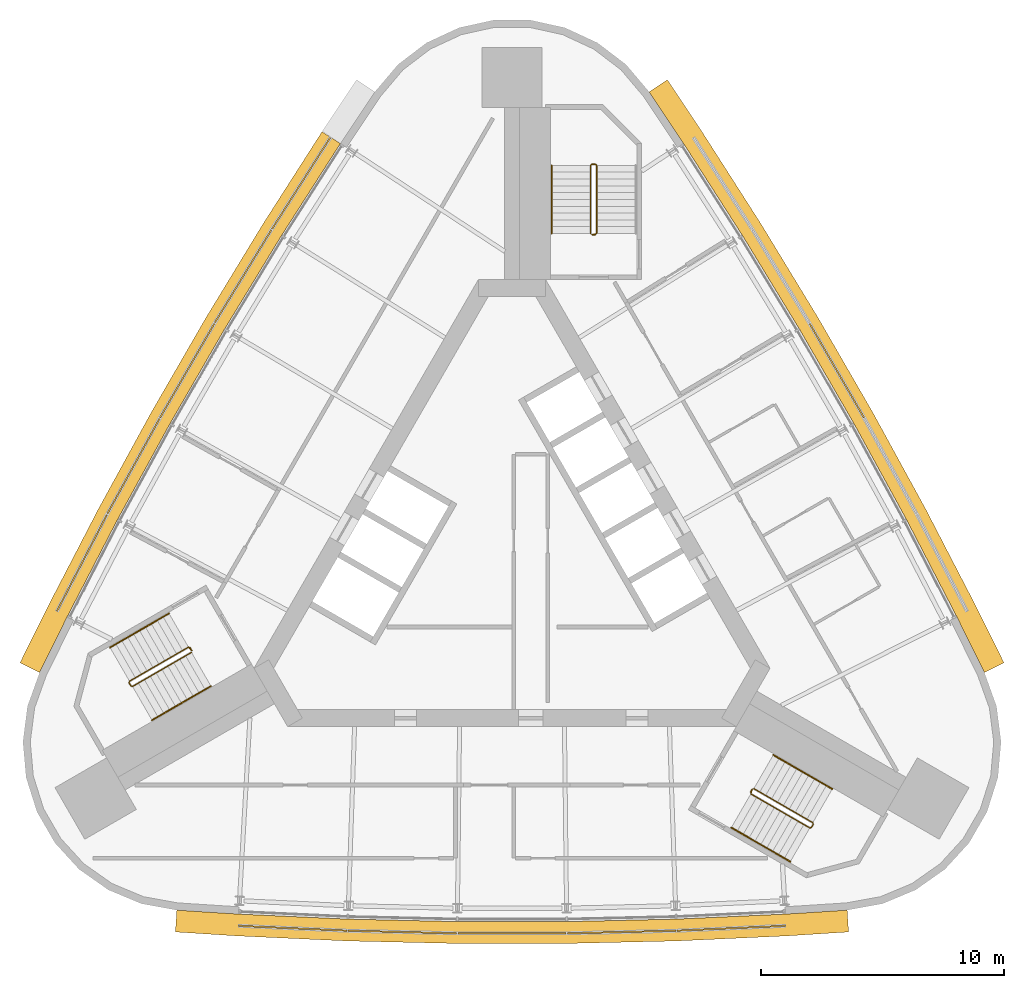
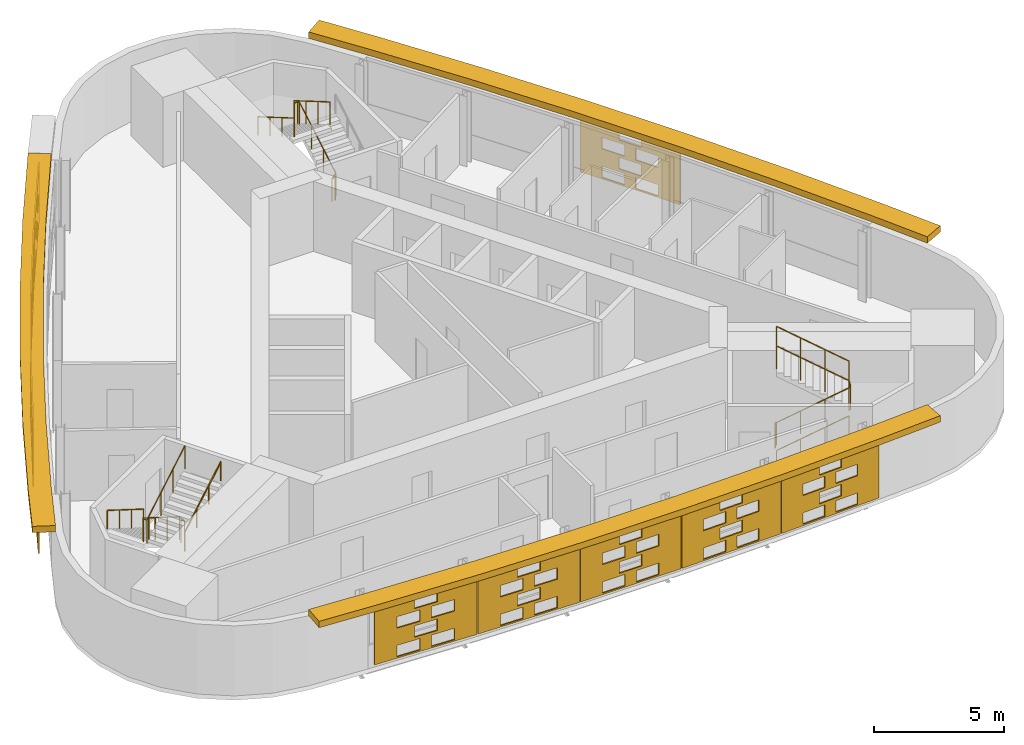
# One storey, part 9 of 10: 14 shading devices, 8 railings.
"""IFC4 building model written with IfcOpenShell, lengths in metres."""

import ifcopenshell
import ifcopenshell.guid

model = None  # the IFC model being written
_history = None  # IfcOwnerHistory: only IFC2X3 demands one
_inside = {}  # id of a spatial element -> (the spatial element, [elements in it])
_under = {}  # id of a project, library or spatial element -> (it, [spatial elements below it])
_declared = {}  # id of a project -> (the project, [libraries it declares])
_typed = {}  # id of a type object -> (the type object, [elements of that type])
_made_of = {}  # id of a material, layer set ... -> (it, [elements and type objects made of it])


def new_model(schema):
    """Start an empty IFC model of exactly this schema.

    Asked for "IFC4X3", IfcOpenShell would pick the latest addendum, in which some entities
    have other attributes; the version numbers below select the first issue.
    IFC2X3 requires an IfcOwnerHistory on every rooted entity: one is made here for all.
    """
    global model, _history
    if schema == "IFC4X3":
        model = ifcopenshell.file(schema_version=(4, 3, 0, 0))
    else:
        model = ifcopenshell.file(schema=schema)
    _inside.clear()
    _under.clear()
    _declared.clear()
    _typed.clear()
    _made_of.clear()
    _history = None
    if model.schema == "IFC2X3":
        org = make("IfcOrganization", Name="unknown")
        user = make(
            "IfcPersonAndOrganization",
            ThePerson=make("IfcPerson", FamilyName="unknown"),
            TheOrganization=org,
        )
        app = make(
            "IfcApplication",
            ApplicationDeveloper=org,
            Version="unknown",
            ApplicationFullName="unknown",
            ApplicationIdentifier="unknown",
        )
        _history = make(
            "IfcOwnerHistory",
            OwningUser=user,
            OwningApplication=app,
            ChangeAction="ADDED",
            CreationDate=0,
        )
    return model


def make(cls, **values):
    """One entity of the class cls with the attributes given. An attribute that is None is left unset."""
    return model.create_entity(
        cls, **{name: value for name, value in values.items() if value is not None}
    )


def rooted(cls, **values):
    """An entity with a GlobalId (a new one), such as an element, a storey or a relation."""
    return make(cls, GlobalId=ifcopenshell.guid.new(), OwnerHistory=_history, **values)


def si_unit(unit_type, name, prefix=None):
    """IfcSIUnit, for example si_unit("LENGTHUNIT", "METRE", prefix="MILLI")."""
    return make("IfcSIUnit", UnitType=unit_type, Prefix=prefix, Name=name)


def assignment(units):
    """IfcUnitAssignment: the units of a project."""
    return None if units is None else make("IfcUnitAssignment", Units=units)


def point(xyz):
    """IfcCartesianPoint."""
    return None if xyz is None else make("IfcCartesianPoint", Coordinates=xyz)


def direction(xyz):
    """IfcDirection."""
    return None if xyz is None else make("IfcDirection", DirectionRatios=xyz)


def frame(location, z_axis=None, x_axis=None):
    """IfcAxis2Placement3D, a coordinate frame: its origin and axes. An axis left out is left unset."""
    return make(
        "IfcAxis2Placement3D",
        Location=point(location),
        Axis=direction(z_axis),
        RefDirection=direction(x_axis),
    )


def frame_2d(location, x_axis=None):
    """IfcAxis2Placement2D, a coordinate frame in the plane: its origin and x axis."""
    return make(
        "IfcAxis2Placement2D", Location=point(location), RefDirection=direction(x_axis)
    )


def origin():
    """The frame at (0, 0, 0) with its axes left unset."""
    return frame((0.0, 0.0, 0.0))


def origin_2d():
    """The frame at (0, 0) in the plane with its x axis left unset."""
    return frame_2d((0.0, 0.0))


def place(relative_to, where):
    """IfcLocalPlacement: puts the frame where relative to a parent placement (None: the world)."""
    return make(
        "IfcLocalPlacement", PlacementRelTo=relative_to, RelativePlacement=where
    )


def context(
    kind, dimensions, precision=None, world=None, true_north=None, identifier=None
):
    """IfcGeometricRepresentationContext, for example the 3D "Model" context."""
    return make(
        "IfcGeometricRepresentationContext",
        ContextIdentifier=identifier,
        ContextType=kind,
        CoordinateSpaceDimension=dimensions,
        Precision=precision,
        WorldCoordinateSystem=world,
        TrueNorth=true_north,
    )


def subcontext(parent, identifier, kind, view, scale=None):
    """IfcGeometricRepresentationSubContext, for example "Body" below "Model"."""
    return make(
        "IfcGeometricRepresentationSubContext",
        ContextIdentifier=identifier,
        ContextType=kind,
        ParentContext=parent,
        TargetScale=scale,
        TargetView=view,
    )


def project(units=None, contexts=None):
    """IfcProject with its units and contexts."""
    return rooted(
        "IfcProject",
        Name="project",
        RepresentationContexts=contexts,
        UnitsInContext=assignment(units),
    )


def spatial(cls, under=None, at=None, **own):
    """A site, building, storey or space (cls), placed at a placement, below another one or the project."""
    s = rooted(cls, ObjectPlacement=at, **own)
    if under is not None:
        _under.setdefault(under.id(), (under, []))[1].append(s)
    return s


def polyline(points):
    """IfcPolyline through the points."""
    return make("IfcPolyline", Points=[point(p) for p in points])


def profile(cls, at=None, kind="AREA", **sizes):
    """A parametric profile (cls). Its sizes go by their IFC names, for example OverallWidth=200.0."""
    return make(cls, ProfileType=kind, Position=at, **sizes)


def circle(**sizes):
    """IfcCircleProfileDef."""
    return profile("IfcCircleProfileDef", **sizes)


def outline(outer, holes=None, kind="AREA"):
    """IfcArbitraryClosedProfileDef: a profile drawn as a closed curve; with holes, ...WithVoids."""
    if holes is None:
        return make("IfcArbitraryClosedProfileDef", ProfileType=kind, OuterCurve=outer)
    return make(
        "IfcArbitraryProfileDefWithVoids",
        ProfileType=kind,
        OuterCurve=outer,
        InnerCurves=holes,
    )


def extrude(swept, where, along, depth):
    """IfcExtrudedAreaSolid: the profile swept, set in the frame where, extruded along a direction by depth."""
    return make(
        "IfcExtrudedAreaSolid",
        SweptArea=swept,
        Position=where,
        ExtrudedDirection=direction(along),
        Depth=depth,
    )


def shape(context_of_items, identifier, shape_type, items):
    """IfcShapeRepresentation: the items that make up one representation, for example the "Body"."""
    return make(
        "IfcShapeRepresentation",
        ContextOfItems=context_of_items,
        RepresentationIdentifier=identifier,
        RepresentationType=shape_type,
        Items=items,
    )


def material(Name=None, Category=None):
    """IfcMaterial."""
    return make("IfcMaterial", Name=Name, Category=Category)


def material_profile(
    of_material, cross_section, Name=None, Category=None, Priority=None
):
    """IfcMaterialProfile: a cross section and its material."""
    return make(
        "IfcMaterialProfile",
        Name=Name,
        Material=of_material,
        Profile=cross_section,
        Priority=Priority,
        Category=Category,
    )


def profile_set(profiles, Name=None, composite=None):
    """IfcMaterialProfileSet."""
    return make(
        "IfcMaterialProfileSet",
        Name=Name,
        MaterialProfiles=profiles,
        CompositeProfile=composite,
    )


def made_of(thing, what):
    """Note that an element or type object is made of a material, layer set ...; save() writes the relation."""
    if what is not None:
        _made_of.setdefault(what.id(), (what, []))[1].append(thing)
    return thing


def type_object(cls, material=None, **own):
    """A type object (cls), such as IfcWallType, which elements share."""
    return made_of(rooted(cls, **own), material)


def element(
    cls,
    number,
    at=None,
    inside=None,
    cuts=None,
    type_object=None,
    material=None,
    context=None,
    identifier="Body",
    shape_type=None,
    held_by="IfcProductDefinitionShape",
    body=None,
    shapes=None,
    **own,
):
    """One element of the class cls, such as IfcWall. Its Tag is "e" and its number.

    at: its placement. inside: the storey or other place that contains it. cuts: it is an
    opening in that element (IfcRelVoidsElement). A single representation is given by context,
    identifier, shape_type and body (its items); several are given by shapes. held_by: the class
    of the entity that holds the representations. save() writes the other relations.
    """
    e = rooted(cls, Tag="e%d" % number, ObjectPlacement=at, **own)
    if body is not None:
        shapes = [shape(context, identifier, shape_type, body)]
    if shapes is not None:
        e.Representation = make(held_by, Representations=shapes)
    if inside is not None:
        _inside.setdefault(inside.id(), (inside, []))[1].append(e)
    if cuts is not None:
        rooted(
            "IfcRelVoidsElement", RelatingBuildingElement=cuts, RelatedOpeningElement=e
        )
    if type_object is not None:
        _typed.setdefault(type_object.id(), (type_object, []))[1].append(e)
    return made_of(e, material)


def aggregate(whole, parts):
    """IfcRelAggregates: a whole, such as a stair, and the parts it consists of."""
    return rooted("IfcRelAggregates", RelatingObject=whole, RelatedObjects=parts)


def save(model, path):
    """Write the relations noted so far, then the file.

    IfcRelAggregates (storeys below a building ...), IfcRelContainedInSpatialStructure (elements
    in a storey), IfcRelDefinesByType, IfcRelAssociatesMaterial and IfcRelDeclares: one each for
    every whole, place, type object, material and project.
    """
    for whole, parts in _under.values():
        aggregate(whole, parts)
    for where, things in _inside.values():
        rooted(
            "IfcRelContainedInSpatialStructure",
            RelatedElements=things,
            RelatingStructure=where,
        )
    for kind, things in _typed.values():
        rooted("IfcRelDefinesByType", RelatedObjects=things, RelatingType=kind)
    for what, things in _made_of.values():
        rooted("IfcRelAssociatesMaterial", RelatedObjects=things, RelatingMaterial=what)
    for by, libraries in _declared.values():
        rooted("IfcRelDeclares", RelatingContext=by, RelatedDefinitions=libraries)
    model.write(path)


model = new_model("IFC4")

# Units and contexts
model_context = context("Model", 3, precision=1e-05, world=origin(), true_north=direction((0.0, 1.0)))
body_context = subcontext(model_context, "Body", "Model", "MODEL_VIEW")
ifc_project = project(units=[si_unit("LENGTHUNIT", "METRE"), si_unit("AREAUNIT", "SQUARE_METRE"), si_unit("VOLUMEUNIT", "CUBIC_METRE"), si_unit("PLANEANGLEUNIT", "RADIAN"), si_unit("MASSUNIT", "GRAM", prefix="KILO")], contexts=[model_context])

# Site, building, storey
site_placement = place(None, origin())
site = spatial("IfcSite", under=ifc_project, at=site_placement, CompositionType="ELEMENT")
building_placement = place(site_placement, origin())
building = spatial("IfcBuilding", under=site, at=building_placement, Name="Noor Cloister Tower", CompositionType="ELEMENT")
storey_placement = place(building_placement, frame((0.0, 0.0, 247.199951171875)))
storey = spatial("IfcBuildingStorey", under=building, at=storey_placement, Name="L64", CompositionType="ELEMENT", Elevation=247.199951171875)

# Shading devices
ifc_material_1 = material(Name="Limestone", Category="masonry")
ifc_material_profile = material_profile(ifc_material_1, outline(polyline([(-2.22998046875, -1.35009765625), (2.22998046875, -1.35009765625), (2.22998046875, 1.35009765625), (-2.22998046875, 1.35009765625), (-2.22998046875, -1.35009765625)]), holes=[polyline([(-1.25, -1.282470703125), (-0.25, -1.282470703125), (-0.25, -0.742431640625), (-1.25, -0.742431640625), (-1.25, -1.282470703125)]), polyline([(0.25, -1.282470703125), (1.25, -1.282470703125), (1.25, -0.742431640625), (0.25, -0.742431640625), (0.25, -1.282470703125)]), polyline([(-0.5, -0.607421875), (0.5, -0.607421875), (0.5, -0.0673828125), (-0.5, -0.0673828125), (-0.5, -0.607421875)]), polyline([(-1.25, 0.0673828125), (-0.25, 0.0673828125), (-0.25, 0.607421875), (-1.25, 0.607421875), (-1.25, 0.0673828125)]), polyline([(0.25, 0.0673828125), (1.25, 0.0673828125), (1.25, 0.607421875), (0.25, 0.607421875), (0.25, 0.0673828125)]), polyline([(-0.5, 0.742431640625), (0.5, 0.742431640625), (0.5, 1.282470703125), (-0.5, 1.282470703125), (-0.5, 0.742431640625)])]), Name="Woven screen 35 percent open")
ifc_profile_set = profile_set([ifc_material_profile], Name="Limestone")
shading_device_type_1 = type_object("IfcShadingDeviceType", Name="SCREEN woven limestone 35 percent open", PredefinedType="USERDEFINED", material=ifc_profile_set)
for number, where, z_axis, x_axis, name in (
    (1, (-8.649169921875, 15.405517578125, 1.85009765625), (-0.8431579539, 0.537665941617, 0.0), (-0.537665941617, -0.8431579539, 0.0), "SCREEN L64 1"),
    (2, (-11.037109375, 11.57958984375, 1.85009765625), (-0.853884327381, 0.520462828118, 0.0), (-0.520462828118, -0.853884327381, 0.0), "SCREEN L64 2"),
    (3, (-13.336669921875, 7.699951171875, 1.85009765625), (-0.865982457891, 0.500074377092, 0.0), (-0.500074377092, -0.865982457891, 0.0), "SCREEN L64 3"),
):
    element("IfcShadingDevice", number, at=place(storey_placement, frame(where, z_axis=z_axis, x_axis=x_axis)), inside=storey, type_object=shading_device_type_1, Name=name, ObjectType="SCREEN", PredefinedType="USERDEFINED", context=body_context, shape_type="SweptSolid", body=[
        extrude(outline(polyline([(-2.22998046875, -1.35009765625), (2.22998046875, -1.35009765625), (2.22998046875, 1.35009765625), (-2.22998046875, 1.35009765625), (-2.22998046875, -1.35009765625)]), holes=[polyline([(-1.25, -1.282470703125), (-0.25, -1.282470703125), (-0.25, -0.742431640625), (-1.25, -0.742431640625), (-1.25, -1.282470703125)]), polyline([(0.25, -1.282470703125), (1.25, -1.282470703125), (1.25, -0.742431640625), (0.25, -0.742431640625), (0.25, -1.282470703125)]), polyline([(-0.5, -0.607421875), (0.5, -0.607421875), (0.5, -0.0673828125), (-0.5, -0.0673828125), (-0.5, -0.607421875)]), polyline([(-1.25, 0.0673828125), (-0.25, 0.0673828125), (-0.25, 0.607421875), (-1.25, 0.607421875), (-1.25, 0.0673828125)]), polyline([(0.25, 0.0673828125), (1.25, 0.0673828125), (1.25, 0.607421875), (0.25, 0.607421875), (0.25, 0.0673828125)]), polyline([(-0.5, 0.742431640625), (0.5, 0.742431640625), (0.5, 1.282470703125), (-0.5, 1.282470703125), (-0.5, 0.742431640625)])]), origin(), (0.0, 0.0, 1.0), 0.06005859375),
    ])
shading_device_1_placement = place(storey_placement, frame((-15.546875, 3.768798828125, 1.85009765625), z_axis=(-0.876645997325, 0.481135942718, 0.0), x_axis=(-0.481135942718, -0.876645997325, 0.0)))
element("IfcShadingDevice", 4, at=shading_device_1_placement, inside=storey, type_object=shading_device_type_1, Name="SCREEN L64 4", ObjectType="SCREEN", PredefinedType="USERDEFINED", context=body_context, shape_type="SweptSolid", body=[
    extrude(outline(polyline([(-2.22998046875, -1.35009765625), (2.22998046875, -1.35009765625), (2.22998046875, 1.35009765625), (-2.22998046875, 1.35009765625), (-2.22998046875, -1.35009765625)]), holes=[polyline([(-1.25, -1.282470703125), (-0.25, -1.282470703125), (-0.25, -0.742431640625), (-1.25, -0.742431640625), (-1.25, -1.282470703125)]), polyline([(0.25, -1.282470703125), (1.25, -1.282470703125), (1.25, -0.742431640625), (0.25, -0.742431640625), (0.25, -1.282470703125)]), polyline([(-0.5, -0.607421875), (0.5, -0.607421875), (0.5, -0.0673828125), (-0.5, -0.0673828125), (-0.5, -0.607421875)]), polyline([(-1.25, 0.0673828125), (-0.25, 0.0673828125), (-0.25, 0.607421875), (-1.25, 0.607421875), (-1.25, 0.0673828125)]), polyline([(0.25, 0.0673828125), (1.25, 0.0673828125), (1.25, 0.607421875), (0.25, 0.607421875), (0.25, 0.0673828125)]), polyline([(-0.5, 0.742431640625), (0.5, 0.742431640625), (0.5, 1.282470703125), (-0.5, 1.282470703125), (-0.5, 0.742431640625)])]), origin(), (0.0, 0.0, 1.0), 0.059814453125),
])
for number, where, z_axis, x_axis, name in (
    (5, (-17.666259765625, -0.212158203125, 1.85009765625), (-0.887816162103, 0.460198285861, 0.0), (-0.460198285861, -0.887816162103, 0.0), "SCREEN L64 5"),
    (6, (-9.016845703125, -15.193115234375, 1.85009765625), (-0.044670810456, -0.999001761106, 0.0), (0.999001761106, -0.044670810456, 0.0), "SCREEN L64 1"),
):
    element("IfcShadingDevice", number, at=place(storey_placement, frame(where, z_axis=z_axis, x_axis=x_axis)), inside=storey, type_object=shading_device_type_1, Name=name, ObjectType="SCREEN", PredefinedType="USERDEFINED", context=body_context, shape_type="SweptSolid", body=[
        extrude(outline(polyline([(-2.22998046875, -1.35009765625), (2.22998046875, -1.35009765625), (2.22998046875, 1.35009765625), (-2.22998046875, 1.35009765625), (-2.22998046875, -1.35009765625)]), holes=[polyline([(-1.25, -1.282470703125), (-0.25, -1.282470703125), (-0.25, -0.742431640625), (-1.25, -0.742431640625), (-1.25, -1.282470703125)]), polyline([(0.25, -1.282470703125), (1.25, -1.282470703125), (1.25, -0.742431640625), (0.25, -0.742431640625), (0.25, -1.282470703125)]), polyline([(-0.5, -0.607421875), (0.5, -0.607421875), (0.5, -0.0673828125), (-0.5, -0.0673828125), (-0.5, -0.607421875)]), polyline([(-1.25, 0.0673828125), (-0.25, 0.0673828125), (-0.25, 0.607421875), (-1.25, 0.607421875), (-1.25, 0.0673828125)]), polyline([(0.25, 0.0673828125), (1.25, 0.0673828125), (1.25, 0.607421875), (0.25, 0.607421875), (0.25, 0.0673828125)]), polyline([(-0.5, 0.742431640625), (0.5, 0.742431640625), (0.5, 1.282470703125), (-0.5, 1.282470703125), (-0.5, 0.742431640625)])]), origin(), (0.0, 0.0, 1.0), 0.06005859375),
    ])
shading_device_2_placement = place(storey_placement, frame((-4.509521484375, -15.348388671875, 1.85009765625), z_axis=(-0.024482455341, -0.999700259768, 0.0), x_axis=(0.999700259768, -0.024482455341, 0.0)))
element("IfcShadingDevice", 7, at=shading_device_2_placement, inside=storey, type_object=shading_device_type_1, Name="SCREEN L64 2", ObjectType="SCREEN", PredefinedType="USERDEFINED", context=body_context, shape_type="SweptSolid", body=[
    extrude(outline(polyline([(-2.22998046875, -1.35009765625), (2.22998046875, -1.35009765625), (2.22998046875, 1.35009765625), (-2.22998046875, 1.35009765625), (-2.22998046875, -1.35009765625)]), holes=[polyline([(-1.25, -1.282470703125), (-0.25, -1.282470703125), (-0.25, -0.742431640625), (-1.25, -0.742431640625), (-1.25, -1.282470703125)]), polyline([(0.25, -1.282470703125), (1.25, -1.282470703125), (1.25, -0.742431640625), (0.25, -0.742431640625), (0.25, -1.282470703125)]), polyline([(-0.5, -0.607421875), (0.5, -0.607421875), (0.5, -0.0673828125), (-0.5, -0.0673828125), (-0.5, -0.607421875)]), polyline([(-1.25, 0.0673828125), (-0.25, 0.0673828125), (-0.25, 0.607421875), (-1.25, 0.607421875), (-1.25, 0.0673828125)]), polyline([(0.25, 0.0673828125), (1.25, 0.0673828125), (1.25, 0.607421875), (0.25, 0.607421875), (0.25, 0.0673828125)]), polyline([(-0.5, 0.742431640625), (0.5, 0.742431640625), (0.5, 1.282470703125), (-0.5, 1.282470703125), (-0.5, 0.742431640625)])]), origin(), (0.0, 0.0, 1.0), 0.059814453125),
])
shading_device_3_placement = place(storey_placement, frame((0.0, -15.39990234375, 1.85009765625), z_axis=(0.0, -1.0, 0.0), x_axis=(1.0, 0.0, 0.0)))
element("IfcShadingDevice", 8, at=shading_device_3_placement, inside=storey, type_object=shading_device_type_1, Name="SCREEN L64 3", ObjectType="SCREEN", PredefinedType="USERDEFINED", context=body_context, shape_type="SweptSolid", body=[
    extrude(outline(polyline([(-2.22998046875, -1.35009765625), (2.22998046875, -1.35009765625), (2.22998046875, 1.35009765625), (-2.22998046875, 1.35009765625), (-2.22998046875, -1.35009765625)]), holes=[polyline([(-1.25, -1.282470703125), (-0.25, -1.282470703125), (-0.25, -0.742431640625), (-1.25, -0.742431640625), (-1.25, -1.282470703125)]), polyline([(0.25, -1.282470703125), (1.25, -1.282470703125), (1.25, -0.742431640625), (0.25, -0.742431640625), (0.25, -1.282470703125)]), polyline([(-0.5, -0.607421875), (0.5, -0.607421875), (0.5, -0.0673828125), (-0.5, -0.0673828125), (-0.5, -0.607421875)]), polyline([(-1.25, 0.0673828125), (-0.25, 0.0673828125), (-0.25, 0.607421875), (-1.25, 0.607421875), (-1.25, 0.0673828125)]), polyline([(0.25, 0.0673828125), (1.25, 0.0673828125), (1.25, 0.607421875), (0.25, 0.607421875), (0.25, 0.0673828125)]), polyline([(-0.5, 0.742431640625), (0.5, 0.742431640625), (0.5, 1.282470703125), (-0.5, 1.282470703125), (-0.5, 0.742431640625)])]), origin(), (0.0, 0.0, 1.0), 0.06005859375),
])
shading_device_4_placement = place(storey_placement, frame((4.509521484375, -15.348388671875, 1.85009765625), z_axis=(0.024482455341, -0.999700259768, 0.0), x_axis=(0.999700259768, 0.024482455341, 0.0)))
element("IfcShadingDevice", 9, at=shading_device_4_placement, inside=storey, type_object=shading_device_type_1, Name="SCREEN L64 4", ObjectType="SCREEN", PredefinedType="USERDEFINED", context=body_context, shape_type="SweptSolid", body=[
    extrude(outline(polyline([(-2.22998046875, -1.35009765625), (2.22998046875, -1.35009765625), (2.22998046875, 1.35009765625), (-2.22998046875, 1.35009765625), (-2.22998046875, -1.35009765625)]), holes=[polyline([(-1.25, -1.282470703125), (-0.25, -1.282470703125), (-0.25, -0.742431640625), (-1.25, -0.742431640625), (-1.25, -1.282470703125)]), polyline([(0.25, -1.282470703125), (1.25, -1.282470703125), (1.25, -0.742431640625), (0.25, -0.742431640625), (0.25, -1.282470703125)]), polyline([(-0.5, -0.607421875), (0.5, -0.607421875), (0.5, -0.0673828125), (-0.5, -0.0673828125), (-0.5, -0.607421875)]), polyline([(-1.25, 0.0673828125), (-0.25, 0.0673828125), (-0.25, 0.607421875), (-1.25, 0.607421875), (-1.25, 0.0673828125)]), polyline([(0.25, 0.0673828125), (1.25, 0.0673828125), (1.25, 0.607421875), (0.25, 0.607421875), (0.25, 0.0673828125)]), polyline([(-0.5, 0.742431640625), (0.5, 0.742431640625), (0.5, 1.282470703125), (-0.5, 1.282470703125), (-0.5, 0.742431640625)])]), origin(), (0.0, 0.0, 1.0), 0.059814453125),
])
for number, where, z_axis, x_axis, name in (
    (10, (9.016845703125, -15.193115234375, 1.85009765625), (0.044670810456, -0.999001761106, 0.0), (0.999001761106, 0.044670810456, 0.0), "SCREEN L64 5"),
    (11, (13.336669921875, 7.699951171875, 1.85009765625), (0.865982457891, 0.500074377092, 0.0), (-0.500074377092, 0.865982457891, 0.0), "SCREEN L64 3"),
):
    element("IfcShadingDevice", number, at=place(storey_placement, frame(where, z_axis=z_axis, x_axis=x_axis)), inside=storey, type_object=shading_device_type_1, Name=name, ObjectType="SCREEN", PredefinedType="USERDEFINED", context=body_context, shape_type="SweptSolid", body=[
        extrude(outline(polyline([(-2.22998046875, -1.35009765625), (2.22998046875, -1.35009765625), (2.22998046875, 1.35009765625), (-2.22998046875, 1.35009765625), (-2.22998046875, -1.35009765625)]), holes=[polyline([(-1.25, -1.282470703125), (-0.25, -1.282470703125), (-0.25, -0.742431640625), (-1.25, -0.742431640625), (-1.25, -1.282470703125)]), polyline([(0.25, -1.282470703125), (1.25, -1.282470703125), (1.25, -0.742431640625), (0.25, -0.742431640625), (0.25, -1.282470703125)]), polyline([(-0.5, -0.607421875), (0.5, -0.607421875), (0.5, -0.0673828125), (-0.5, -0.0673828125), (-0.5, -0.607421875)]), polyline([(-1.25, 0.0673828125), (-0.25, 0.0673828125), (-0.25, 0.607421875), (-1.25, 0.607421875), (-1.25, 0.0673828125)]), polyline([(0.25, 0.0673828125), (1.25, 0.0673828125), (1.25, 0.607421875), (0.25, 0.607421875), (0.25, 0.0673828125)]), polyline([(-0.5, 0.742431640625), (0.5, 0.742431640625), (0.5, 1.282470703125), (-0.5, 1.282470703125), (-0.5, 0.742431640625)])]), origin(), (0.0, 0.0, 1.0), 0.06005859375),
    ])
ifc_material_2 = material(Name="Limestone", Category="masonry")
shading_device_type_2 = type_object("IfcShadingDeviceType", Name="SUNSHADE limestone band 900", PredefinedType="USERDEFINED", material=ifc_material_2)
shading_device_5_placement = place(storey_placement, frame((0.0, 0.0, 3.300048828125)))
element("IfcShadingDevice", 12, at=shading_device_5_placement, inside=storey, type_object=shading_device_type_2, Name="SUNSHADE L64 1", ObjectType="SUNSHADE", PredefinedType="USERDEFINED", context=body_context, shape_type="SweptSolid", body=[
    extrude(outline(polyline([(-7.815185546875, 17.54296875), (-10.246826171875, 13.744384765625), (-12.596435546875, 9.88232421875), (-14.856689453125, 5.967529296875), (-17.026611328125, 2.001953125), (-19.10400390625, -2.010498046875), (-20.2392578125, -4.30322265625), (-19.4326171875, -4.702392578125), (-18.301025390625, -2.417236328125), (-16.232177734375, 1.578857421875), (-14.072021484375, 5.5263671875), (-11.822021484375, 9.423583984375), (-9.4833984375, 13.267822265625), (-7.05712890625, 17.0576171875), (-7.815185546875, 17.54296875)])), origin(), (0.0, 0.0, 1.0), 0.300048828125),
])
shading_device_6_placement = place(storey_placement, frame((0.0, 0.0, 3.300048828125)))
element("IfcShadingDevice", 13, at=shading_device_6_placement, inside=storey, type_object=shading_device_type_2, Name="SUNSHADE L64 2", ObjectType="SUNSHADE", PredefinedType="USERDEFINED", context=body_context, shape_type="SweptSolid", body=[
    extrude(outline(polyline([(-13.84619140625, -15.376220703125), (-11.293212890625, -15.539306640625), (-6.779541015625, -15.746337890625), (-2.26025390625, -15.85009765625), (2.26025390625, -15.85009765625), (6.779541015625, -15.746337890625), (11.293212890625, -15.539306640625), (13.84619140625, -15.376220703125), (13.788818359375, -14.47802734375), (11.243896484375, -14.640625), (6.748779296875, -14.846923828125), (2.25, -14.949951171875), (-2.25, -14.949951171875), (-6.748779296875, -14.846923828125), (-11.243896484375, -14.640625), (-13.788818359375, -14.47802734375), (-13.84619140625, -15.376220703125)])), origin(), (0.0, 0.0, 1.0), 0.300048828125),
])
shading_device_7_placement = place(storey_placement, frame((0.0, 0.0, 3.300048828125)))
element("IfcShadingDevice", 14, at=shading_device_7_placement, inside=storey, type_object=shading_device_type_2, Name="SUNSHADE L64 3", ObjectType="SUNSHADE", PredefinedType="USERDEFINED", context=body_context, shape_type="SweptSolid", body=[
    extrude(outline(polyline([(20.2392578125, -4.30322265625), (19.10400390625, -2.010498046875), (17.026611328125, 2.001953125), (14.856689453125, 5.967529296875), (12.596435546875, 9.88232421875), (10.246826171875, 13.744384765625), (7.810791015625, 17.5498046875), (6.39306640625, 19.67919921875), (5.643798828125, 19.180419921875), (7.05712890625, 17.0576171875), (9.4833984375, 13.267822265625), (11.822021484375, 9.423583984375), (14.072021484375, 5.5263671875), (16.232177734375, 1.578857421875), (18.301025390625, -2.417236328125), (19.4326171875, -4.702392578125), (20.2392578125, -4.30322265625)])), origin(), (0.0, 0.0, 1.0), 0.300048828125),
])

# Railings
ifc_material_3 = material(Name="Stainless steel", Category="steel")
railing_type_1 = type_object("IfcRailingType", Name="Stair guard 1100", PredefinedType="GUARDRAIL", material=ifc_material_3)
railing_1_placement = place(storey_placement, frame((3.435546875, 13.306396484375, 0.0)))
element("IfcRailing", 15, at=railing_1_placement, inside=storey, type_object=railing_type_1, Name="Stair guard ST1 L64", PredefinedType="GUARDRAIL", context=body_context, shape_type="SweptSolid", body=[
    extrude(circle(Radius=0.02392578125, at=origin_2d()), frame((0.0, 0.0, 1.076171875), z_axis=(-1.0, 0.0, 0.0), x_axis=(0.0, -1.0, 0.0)), (0.0, 0.0, 1.0), 0.14990234375),
    extrude(circle(Radius=0.02392578125, at=origin_2d()), frame((-0.14990234375, 0.0, 1.076171875), z_axis=(0.759870394187, 0.190199549216, 0.621627795), x_axis=(-0.242814311512, 0.970072785993, 0.0)), (0.0, 0.0, 1.0), 0.26318359375),
    extrude(circle(Radius=0.02392578125, at=origin_2d()), frame((0.050048828125, 0.050048828125, 1.23974609375), z_axis=(0.0, 0.863360870873, 0.504586966384), x_axis=(-1.0, 0.0, 0.0)), (0.0, 0.0, 1.0), 3.2431640625),
    extrude(circle(Radius=0.02392578125, at=origin_2d()), frame((0.050048828125, 2.85009765625, 2.8759765625), z_axis=(-0.708833529934, 0.705375805398, 0.0), x_axis=(-0.705375805398, -0.708833529934, 0.0)), (0.0, 0.0, 1.0), 0.070556640625),
    extrude(circle(Radius=0.02392578125, at=origin_2d()), frame((0.0, 2.89990234375, 2.8759765625), z_axis=(-1.0, 0.0, 0.0), x_axis=(0.0, -1.0, 0.0)), (0.0, 0.0, 1.0), 0.14990234375),
    extrude(circle(Radius=0.02392578125, at=origin_2d()), frame((-0.14990234375, 2.89990234375, 2.8759765625), z_axis=(-0.280916556609, -0.279546231943, 0.91811752648), x_axis=(0.705375805398, -0.708833529934, 0.0)), (0.0, 0.0, 1.0), 0.17822265625),
    extrude(circle(Radius=0.02392578125, at=origin_2d()), frame((-0.199951171875, 2.85009765625, 3.03955078125), z_axis=(0.0, -0.863360870873, 0.504586966384), x_axis=(1.0, 0.0, 0.0)), (0.0, 0.0, 1.0), 3.2431640625),
    extrude(circle(Radius=0.02099609375, at=origin_2d()), origin(), (0.0, 0.0, 1.0), 1.052001953125),
    extrude(circle(Radius=0.02099609375, at=origin_2d()), frame((-0.14990234375, 0.0, 0.0)), (0.0, 0.0, 1.0), 1.052001953125),
    extrude(circle(Radius=0.02099609375, at=origin_2d()), frame((0.050048828125, 0.050048828125, 0.16357421875)), (0.0, 0.0, 1.0), 1.052001953125),
    extrude(circle(Radius=0.02099609375, at=origin_2d()), frame((0.050048828125, 0.9833984375, 0.708984375)), (0.0, 0.0, 1.0), 1.052001953125),
    extrude(circle(Radius=0.02099609375, at=origin_2d()), frame((0.050048828125, 1.916748046875, 1.254638671875)), (0.0, 0.0, 1.0), 1.052001953125),
    extrude(circle(Radius=0.02099609375, at=origin_2d()), frame((0.050048828125, 2.85009765625, 1.800048828125)), (0.0, 0.0, 1.0), 1.052001953125),
    extrude(circle(Radius=0.02099609375, at=origin_2d()), frame((0.0, 2.89990234375, 1.800048828125)), (0.0, 0.0, 1.0), 1.052001953125),
    extrude(circle(Radius=0.02099609375, at=origin_2d()), frame((-0.14990234375, 2.89990234375, 1.800048828125)), (0.0, 0.0, 1.0), 1.052001953125),
    extrude(circle(Radius=0.02099609375, at=origin_2d()), frame((-0.199951171875, 2.85009765625, 1.963623046875)), (0.0, 0.0, 1.0), 1.052001953125),
    extrude(circle(Radius=0.02099609375, at=origin_2d()), frame((-0.199951171875, 1.916748046875, 2.509033203125)), (0.0, 0.0, 1.0), 1.052001953125),
    extrude(circle(Radius=0.02099609375, at=origin_2d()), frame((-0.199951171875, 0.9833984375, 3.0546875)), (0.0, 0.0, 1.0), 1.052001953125),
    extrude(circle(Radius=0.02099609375, at=origin_2d()), frame((-0.199951171875, 0.050048828125, 3.60009765625)), (0.0, 0.0, 1.0), 1.052001953125),
])
railing_2_placement = place(storey_placement, frame((-13.241455078125, -3.677734375, 0.0)))
element("IfcRailing", 16, at=railing_2_placement, inside=storey, type_object=railing_type_1, Name="Stair guard ST2 L64", PredefinedType="GUARDRAIL", context=body_context, shape_type="SweptSolid", body=[
    extrude(circle(Radius=0.02392578125, at=origin_2d()), frame((0.0, 0.0, 1.076171875), z_axis=(0.499112439033, -0.866537231285, 0.0), x_axis=(0.866537231285, 0.499112439033, 0.0)), (0.0, 0.0, 1.0), 0.150146484375),
    extrude(circle(Radius=0.02392578125, at=origin_2d()), frame((0.074951171875, -0.130126953125, 1.076171875), z_axis=(-0.544565797804, 0.563119998752, 0.621565731736), x_axis=(-0.718850276695, -0.695164929852, 0.0)), (0.0, 0.0, 1.0), 0.26318359375),
    extrude(circle(Radius=0.02392578125, at=origin_2d()), frame((-0.068359375, 0.01806640625, 1.23974609375), z_axis=(-0.747689811644, -0.431660630283, 0.504607813879), x_axis=(0.49998411664, -0.866034573852, 0.0)), (0.0, 0.0, 1.0), 3.2431640625),
    extrude(circle(Radius=0.02392578125, at=origin_2d()), frame((-2.4931640625, -1.3818359375, 2.8759765625), z_axis=(-0.258736085224, -0.965948051503, 0.0), x_axis=(0.965948051503, -0.258736085224, 0.0)), (0.0, 0.0, 1.0), 0.07080078125),
    extrude(circle(Radius=0.02392578125, at=origin_2d()), frame((-2.511474609375, -1.4501953125, 2.8759765625), z_axis=(0.499816412211, -0.866131372301, 0.0), x_axis=(0.866131372301, 0.499816412211, 0.0)), (0.0, 0.0, 1.0), 0.14990234375),
    extrude(circle(Radius=0.02392578125, at=origin_2d()), frame((-2.4365234375, -1.580078125, 2.8759765625), z_axis=(0.383552647116, -0.102737316192, 0.917786691313), x_axis=(0.258736085224, 0.965948051503, 0.0)), (0.0, 0.0, 1.0), 0.17822265625),
    extrude(circle(Radius=0.02392578125, at=origin_2d()), frame((-2.3681640625, -1.598388671875, 3.03955078125), z_axis=(0.747665513933, 0.431721881032, 0.504591415616), x_axis=(-0.500049511043, 0.865996816683, 0.0)), (0.0, 0.0, 1.0), 3.2431640625),
    extrude(circle(Radius=0.02099609375, at=origin_2d()), origin(), (0.0, 0.0, 1.0), 1.052001953125),
    extrude(circle(Radius=0.02099609375, at=origin_2d()), frame((0.074951171875, -0.130126953125, 0.0)), (0.0, 0.0, 1.0), 1.052001953125),
    extrude(circle(Radius=0.02099609375, at=origin_2d()), frame((-0.068359375, 0.01806640625, 0.16357421875)), (0.0, 0.0, 1.0), 1.052001953125),
    extrude(circle(Radius=0.02099609375, at=origin_2d()), frame((-0.876708984375, -0.448486328125, 0.708984375)), (0.0, 0.0, 1.0), 1.052001953125),
    extrude(circle(Radius=0.02099609375, at=origin_2d()), frame((-1.684814453125, -0.915283203125, 1.254638671875)), (0.0, 0.0, 1.0), 1.052001953125),
    extrude(circle(Radius=0.02099609375, at=origin_2d()), frame((-2.4931640625, -1.3818359375, 1.800048828125)), (0.0, 0.0, 1.0), 1.052001953125),
    extrude(circle(Radius=0.02099609375, at=origin_2d()), frame((-2.511474609375, -1.4501953125, 1.800048828125)), (0.0, 0.0, 1.0), 1.052001953125),
    extrude(circle(Radius=0.02099609375, at=origin_2d()), frame((-2.4365234375, -1.580078125, 1.800048828125)), (0.0, 0.0, 1.0), 1.052001953125),
    extrude(circle(Radius=0.02099609375, at=origin_2d()), frame((-2.3681640625, -1.598388671875, 1.963623046875)), (0.0, 0.0, 1.0), 1.052001953125),
    extrude(circle(Radius=0.02099609375, at=origin_2d()), frame((-1.559814453125, -1.131591796875, 2.509033203125)), (0.0, 0.0, 1.0), 1.052001953125),
    extrude(circle(Radius=0.02099609375, at=origin_2d()), frame((-0.751708984375, -0.6650390625, 3.0546875)), (0.0, 0.0, 1.0), 1.052001953125),
    extrude(circle(Radius=0.02099609375, at=origin_2d()), frame((0.056640625, -0.1982421875, 3.60009765625)), (0.0, 0.0, 1.0), 1.052001953125),
])
railing_3_placement = place(storey_placement, frame((9.805908203125, -9.628662109375, 0.0)))
element("IfcRailing", 17, at=railing_3_placement, inside=storey, type_object=railing_type_1, Name="Stair guard ST3 L64", PredefinedType="GUARDRAIL", context=body_context, shape_type="SweptSolid", body=[
    extrude(circle(Radius=0.02392578125, at=origin_2d()), frame((0.0, 0.0, 1.076171875), z_axis=(0.499112439033, 0.866537231285, 0.0), x_axis=(-0.866537231285, 0.499112439033, 0.0)), (0.0, 0.0, 1.0), 0.150146484375),
    extrude(circle(Radius=0.02392578125, at=origin_2d()), frame((0.074951171875, 0.130126953125, 1.076171875), z_axis=(-0.215214839654, -0.753251938789, 0.621525614518), x_axis=(0.961523947641, -0.274721127897, 0.0)), (0.0, 0.0, 1.0), 0.26318359375),
    extrude(circle(Radius=0.02392578125, at=origin_2d()), frame((0.018310546875, -0.068115234375, 1.23974609375), z_axis=(0.747665513933, -0.431721881032, 0.504591415616), x_axis=(0.500049511043, 0.865996816683, 0.0)), (0.0, 0.0, 1.0), 3.2431640625),
    extrude(circle(Radius=0.02392578125, at=origin_2d()), frame((2.443115234375, -1.46826171875, 2.8759765625), z_axis=(0.965948051503, 0.258736085224, 0.0), x_axis=(-0.258736085224, 0.965948051503, 0.0)), (0.0, 0.0, 1.0), 0.07080078125),
    extrude(circle(Radius=0.02392578125, at=origin_2d()), frame((2.511474609375, -1.449951171875, 2.8759765625), z_axis=(0.499816412211, 0.866131372301, 0.0), x_axis=(-0.866131372301, 0.499816412211, 0.0)), (0.0, 0.0, 1.0), 0.14990234375),
    extrude(circle(Radius=0.02392578125, at=origin_2d()), frame((2.58642578125, -1.320068359375, 2.8759765625), z_axis=(-0.102737316192, 0.383552647116, 0.917786691313), x_axis=(-0.965948051503, -0.258736085224, 0.0)), (0.0, 0.0, 1.0), 0.17822265625),
    extrude(circle(Radius=0.02392578125, at=origin_2d()), frame((2.568115234375, -1.251708984375, 3.03955078125), z_axis=(-0.747689811644, 0.431660630283, 0.504607813879), x_axis=(-0.49998411664, -0.866034573852, 0.0)), (0.0, 0.0, 1.0), 3.2431640625),
    extrude(circle(Radius=0.02099609375, at=origin_2d()), origin(), (0.0, 0.0, 1.0), 1.052001953125),
    extrude(circle(Radius=0.02099609375, at=origin_2d()), frame((0.074951171875, 0.130126953125, 0.0)), (0.0, 0.0, 1.0), 1.052001953125),
    extrude(circle(Radius=0.02099609375, at=origin_2d()), frame((0.018310546875, -0.068115234375, 0.16357421875)), (0.0, 0.0, 1.0), 1.052001953125),
    extrude(circle(Radius=0.02099609375, at=origin_2d()), frame((0.82666015625, -0.534912109375, 0.708984375)), (0.0, 0.0, 1.0), 1.052001953125),
    extrude(circle(Radius=0.02099609375, at=origin_2d()), frame((1.634765625, -1.00146484375, 1.254638671875)), (0.0, 0.0, 1.0), 1.052001953125),
    extrude(circle(Radius=0.02099609375, at=origin_2d()), frame((2.443115234375, -1.46826171875, 1.800048828125)), (0.0, 0.0, 1.0), 1.052001953125),
    extrude(circle(Radius=0.02099609375, at=origin_2d()), frame((2.511474609375, -1.449951171875, 1.800048828125)), (0.0, 0.0, 1.0), 1.052001953125),
    extrude(circle(Radius=0.02099609375, at=origin_2d()), frame((2.58642578125, -1.320068359375, 1.800048828125)), (0.0, 0.0, 1.0), 1.052001953125),
    extrude(circle(Radius=0.02099609375, at=origin_2d()), frame((2.568115234375, -1.251708984375, 1.963623046875)), (0.0, 0.0, 1.0), 1.052001953125),
    extrude(circle(Radius=0.02099609375, at=origin_2d()), frame((1.759765625, -0.78515625, 2.509033203125)), (0.0, 0.0, 1.0), 1.052001953125),
    extrude(circle(Radius=0.02099609375, at=origin_2d()), frame((0.95166015625, -0.318359375, 3.0546875)), (0.0, 0.0, 1.0), 1.052001953125),
    extrude(circle(Radius=0.02099609375, at=origin_2d()), frame((0.143310546875, 0.148193359375, 3.60009765625)), (0.0, 0.0, 1.0), 1.052001953125),
])
ifc_material_4 = material(Name="Stainless steel", Category="steel")
railing_type_2 = type_object("IfcRailingType", Name="Stair handrail 900", PredefinedType="HANDRAIL", material=ifc_material_4)
railing_4_placement = place(storey_placement, frame((1.6357421875, 16.156494140625, 1.963623046875)))
element("IfcRailing", 18, at=railing_4_placement, inside=storey, type_object=railing_type_2, Name="Stair handrail ST1 L64 2", PredefinedType="HANDRAIL", context=body_context, shape_type="SweptSolid", body=[
    extrude(circle(Radius=0.02392578125, at=origin_2d()), frame((0.0, 0.0, 0.8759765625), z_axis=(0.0, -0.863360870873, 0.504586966384), x_axis=(1.0, 0.0, 0.0)), (0.0, 0.0, 1.0), 3.2431640625),
    extrude(circle(Radius=0.02099609375, at=origin_2d()), origin(), (0.0, 0.0, 1.0), 0.851806640625),
    extrude(circle(Radius=0.02099609375, at=origin_2d()), frame((0.0, -0.933349609375, 0.54541015625)), (0.0, 0.0, 1.0), 0.851806640625),
    extrude(circle(Radius=0.02099609375, at=origin_2d()), frame((0.0, -1.86669921875, 1.091064453125)), (0.0, 0.0, 1.0), 0.851806640625),
    extrude(circle(Radius=0.02099609375, at=origin_2d()), frame((0.0, -2.800048828125, 1.636474609375)), (0.0, 0.0, 1.0), 0.851806640625),
])
railing_5_placement = place(storey_placement, frame((-14.10986328125, -2.27392578125, 0.16357421875)))
element("IfcRailing", 19, at=railing_5_placement, inside=storey, type_object=railing_type_2, Name="Stair handrail ST2 L64 1", PredefinedType="HANDRAIL", context=body_context, shape_type="SweptSolid", body=[
    extrude(circle(Radius=0.02392578125, at=origin_2d()), frame((0.0, 0.0, 0.8759765625), z_axis=(-0.747689811644, -0.431660630283, 0.504607813879), x_axis=(0.49998411664, -0.866034573852, 0.0)), (0.0, 0.0, 1.0), 3.2431640625),
    extrude(circle(Radius=0.02099609375, at=origin_2d()), origin(), (0.0, 0.0, 1.0), 0.851806640625),
    extrude(circle(Radius=0.02099609375, at=origin_2d()), frame((-0.808349609375, -0.466552734375, 0.54541015625)), (0.0, 0.0, 1.0), 0.851806640625),
    extrude(circle(Radius=0.02099609375, at=origin_2d()), frame((-1.616455078125, -0.933349609375, 1.091064453125)), (0.0, 0.0, 1.0), 0.851806640625),
    extrude(circle(Radius=0.02099609375, at=origin_2d()), frame((-2.4248046875, -1.39990234375, 1.636474609375)), (0.0, 0.0, 1.0), 0.851806640625),
])
railing_6_placement = place(storey_placement, frame((-14.8095703125, -6.66162109375, 1.963623046875)))
element("IfcRailing", 20, at=railing_6_placement, inside=storey, type_object=railing_type_2, Name="Stair handrail ST2 L64 2", PredefinedType="HANDRAIL", context=body_context, shape_type="SweptSolid", body=[
    extrude(circle(Radius=0.02392578125, at=origin_2d()), frame((0.0, 0.0, 0.8759765625), z_axis=(0.747689811644, 0.431660630283, 0.504607813879), x_axis=(-0.49998411664, 0.866034573852, 0.0)), (0.0, 0.0, 1.0), 3.2431640625),
    extrude(circle(Radius=0.02099609375, at=origin_2d()), origin(), (0.0, 0.0, 1.0), 0.851806640625),
    extrude(circle(Radius=0.02099609375, at=origin_2d()), frame((0.808349609375, 0.466552734375, 0.54541015625)), (0.0, 0.0, 1.0), 0.851806640625),
    extrude(circle(Radius=0.02099609375, at=origin_2d()), frame((1.616455078125, 0.933349609375, 1.091064453125)), (0.0, 0.0, 1.0), 0.851806640625),
    extrude(circle(Radius=0.02099609375, at=origin_2d()), frame((2.4248046875, 1.39990234375, 1.636474609375)), (0.0, 0.0, 1.0), 0.851806640625),
])
railing_7_placement = place(storey_placement, frame((9.024169921875, -11.08251953125, 0.16357421875)))
element("IfcRailing", 21, at=railing_7_placement, inside=storey, type_object=railing_type_2, Name="Stair handrail ST3 L64 1", PredefinedType="HANDRAIL", context=body_context, shape_type="SweptSolid", body=[
    extrude(circle(Radius=0.02392578125, at=origin_2d()), frame((0.0, 0.0, 0.8759765625), z_axis=(0.747689811644, -0.431660630283, 0.504607813879), x_axis=(0.49998411664, 0.866034573852, 0.0)), (0.0, 0.0, 1.0), 3.2431640625),
    extrude(circle(Radius=0.02099609375, at=origin_2d()), origin(), (0.0, 0.0, 1.0), 0.851806640625),
    extrude(circle(Radius=0.02099609375, at=origin_2d()), frame((0.808349609375, -0.466552734375, 0.54541015625)), (0.0, 0.0, 1.0), 0.851806640625),
    extrude(circle(Radius=0.02099609375, at=origin_2d()), frame((1.616455078125, -0.933349609375, 1.091064453125)), (0.0, 0.0, 1.0), 0.851806640625),
    extrude(circle(Radius=0.02099609375, at=origin_2d()), frame((2.4248046875, -1.39990234375, 1.636474609375)), (0.0, 0.0, 1.0), 0.851806640625),
])
railing_8_placement = place(storey_placement, frame((13.174072265625, -9.49462890625, 1.963623046875)))
element("IfcRailing", 22, at=railing_8_placement, inside=storey, type_object=railing_type_2, Name="Stair handrail ST3 L64 2", PredefinedType="HANDRAIL", context=body_context, shape_type="SweptSolid", body=[
    extrude(circle(Radius=0.02392578125, at=origin_2d()), frame((0.0, 0.0, 0.8759765625), z_axis=(-0.747689811644, 0.431660630283, 0.504607813879), x_axis=(-0.49998411664, -0.866034573852, 0.0)), (0.0, 0.0, 1.0), 3.2431640625),
    extrude(circle(Radius=0.02099609375, at=origin_2d()), origin(), (0.0, 0.0, 1.0), 0.851806640625),
    extrude(circle(Radius=0.02099609375, at=origin_2d()), frame((-0.808349609375, 0.466552734375, 0.54541015625)), (0.0, 0.0, 1.0), 0.851806640625),
    extrude(circle(Radius=0.02099609375, at=origin_2d()), frame((-1.616455078125, 0.933349609375, 1.091064453125)), (0.0, 0.0, 1.0), 0.851806640625),
    extrude(circle(Radius=0.02099609375, at=origin_2d()), frame((-2.4248046875, 1.39990234375, 1.636474609375)), (0.0, 0.0, 1.0), 0.851806640625),
])

save(model, "model.ifc")
